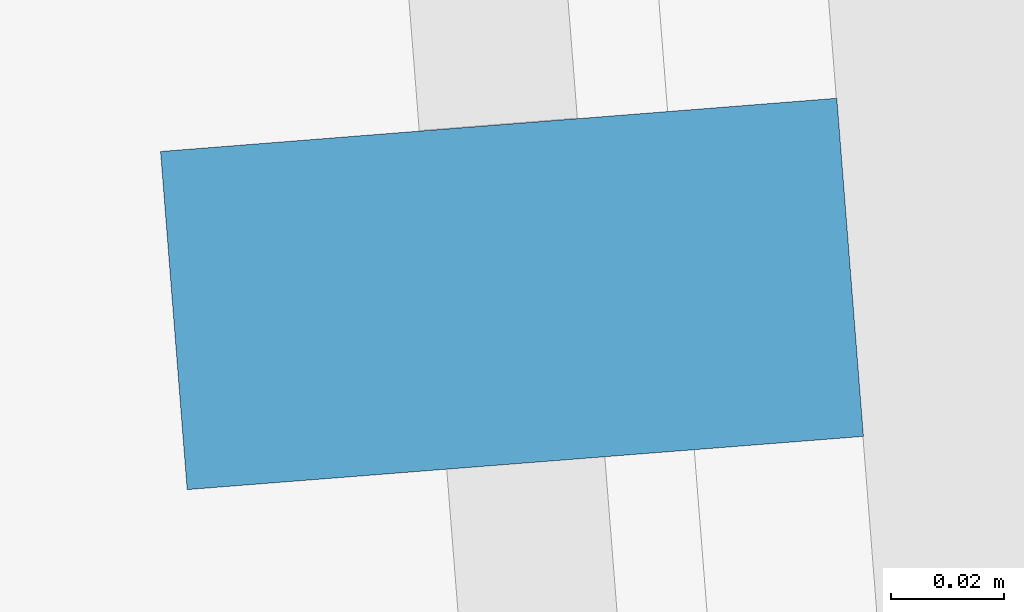
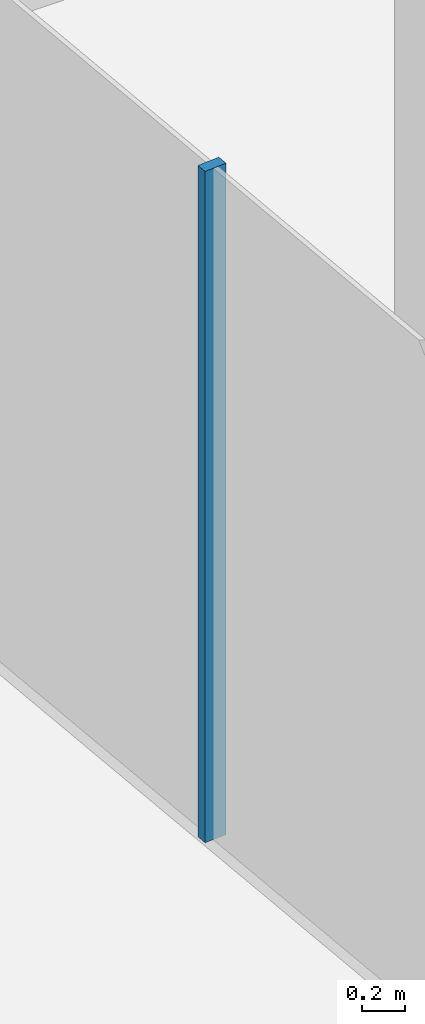
# One storey, part 12 of 25: 1 member, 1 element without a shape of its own.
"""IFC4 building model written with IfcOpenShell, lengths in metres."""

from ifc_helpers import new_model, si_unit, direction, frame, origin, origin_2d, place, context, subcontext, project, spatial, rectangle, extrude, material, layer, layer_set, material_profile, profile_set, type_object, element, aggregate, save


model = new_model("IFC4")

# Units and contexts
model_context = context("Model", 3, precision=1e-05, world=origin(), true_north=direction((0.0, 1.0)))
body_context = subcontext(model_context, "Body", "Model", "MODEL_VIEW")
ifc_project = project(units=[si_unit("LENGTHUNIT", "METRE"), si_unit("AREAUNIT", "SQUARE_METRE"), si_unit("VOLUMEUNIT", "CUBIC_METRE"), si_unit("PLANEANGLEUNIT", "RADIAN"), si_unit("MASSUNIT", "GRAM", prefix="KILO")], contexts=[model_context])

# Site, building, storey
site_placement = place(None, origin())
site = spatial("IfcSite", under=ifc_project, at=site_placement, CompositionType="ELEMENT")
building_placement = place(site_placement, origin())
building = spatial("IfcBuilding", under=site, at=building_placement, Name="Welwitschia Terrace Campus", CompositionType="ELEMENT")
storey_placement = place(building_placement, frame((0.0, 0.0, 92.0)))
storey = spatial("IfcBuildingStorey", under=building, at=storey_placement, Name="L20", CompositionType="ELEMENT", Elevation=92.0)

# Curtain wall, member
ifc_material_1 = material(Name="Bronze anodised aluminium", Category="aluminium")
ifc_layer = layer(ifc_material_1, 0.1201171875)
ifc_layer_set = layer_set([ifc_layer], Name="Bronze anodised aluminium")
curtain_wall_type = type_object("IfcCurtainWallType", Name="Curtain wall CW2 tower 6000", PredefinedType="NOTDEFINED", material=ifc_layer_set)
curtain_wall_placement = place(storey_placement, origin())
curtain_wall = element("IfcCurtainWall", 1, at=curtain_wall_placement, inside=storey, type_object=curtain_wall_type, Name="CW L20.0.0", PredefinedType="NOTDEFINED")
ifc_material_2 = material(Name="Bronze anodised aluminium", Category="aluminium")
ifc_material_profile = material_profile(ifc_material_2, rectangle(XDim=0.1201171875, YDim=0.06005859375, at=origin_2d()))
ifc_profile_set = profile_set([ifc_material_profile], Name="Bronze anodised aluminium")
member_type = type_object("IfcMemberType", Name="Mullion 60x120", PredefinedType="MULLION", material=ifc_profile_set)
member_placement = place(storey_placement, frame((-2.478271484375, 50.65087890625, 0.0), z_axis=(0.0, 0.0, 1.0), x_axis=(0.996917333733, 0.078459095728, 0.0)))
member = element("IfcMember", 2, at=member_placement, type_object=member_type, Name="Mullion L20.0.0.3", PredefinedType="MULLION", context=body_context, shape_type="SweptSolid", body=[
    extrude(rectangle(XDim=0.1201171875, YDim=0.06005859375, at=origin_2d()), origin(), (0.0, 0.0, 1.0), 3.85009765625),
])
aggregate(curtain_wall, [member])

save(model, "model.ifc")
